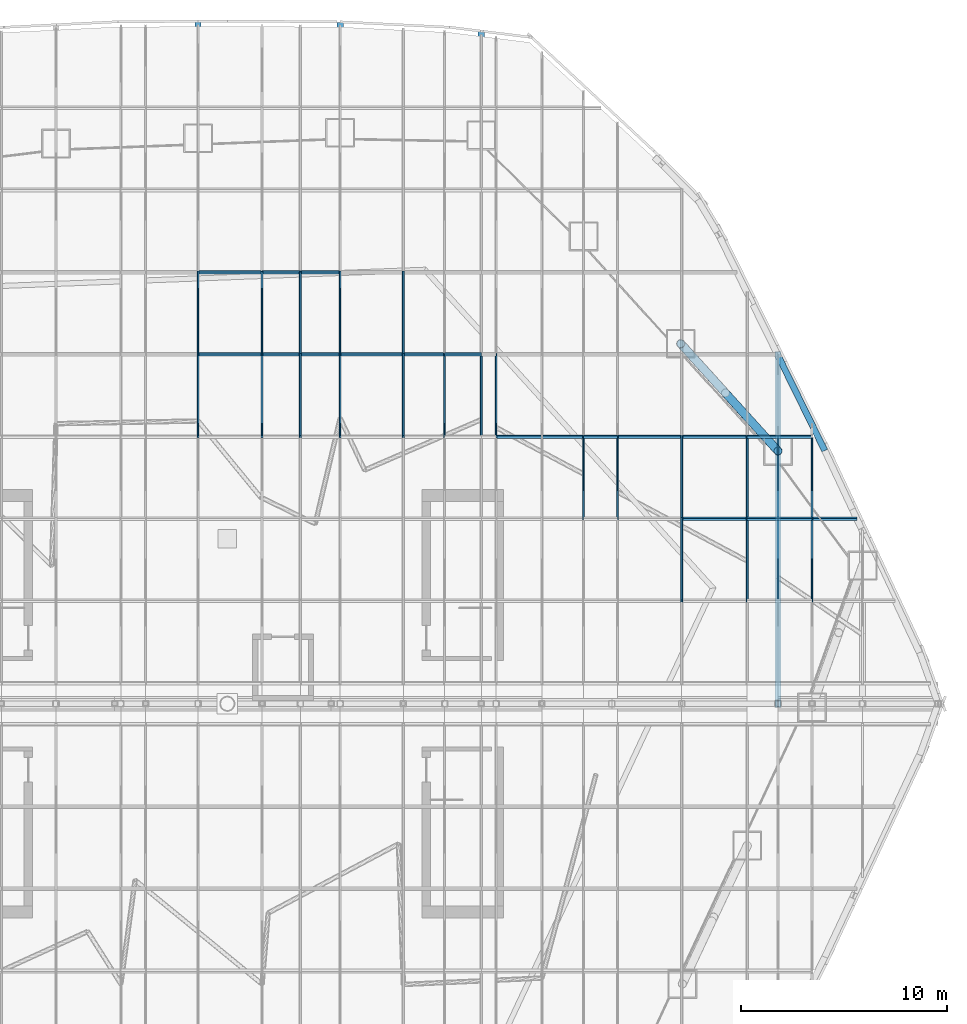
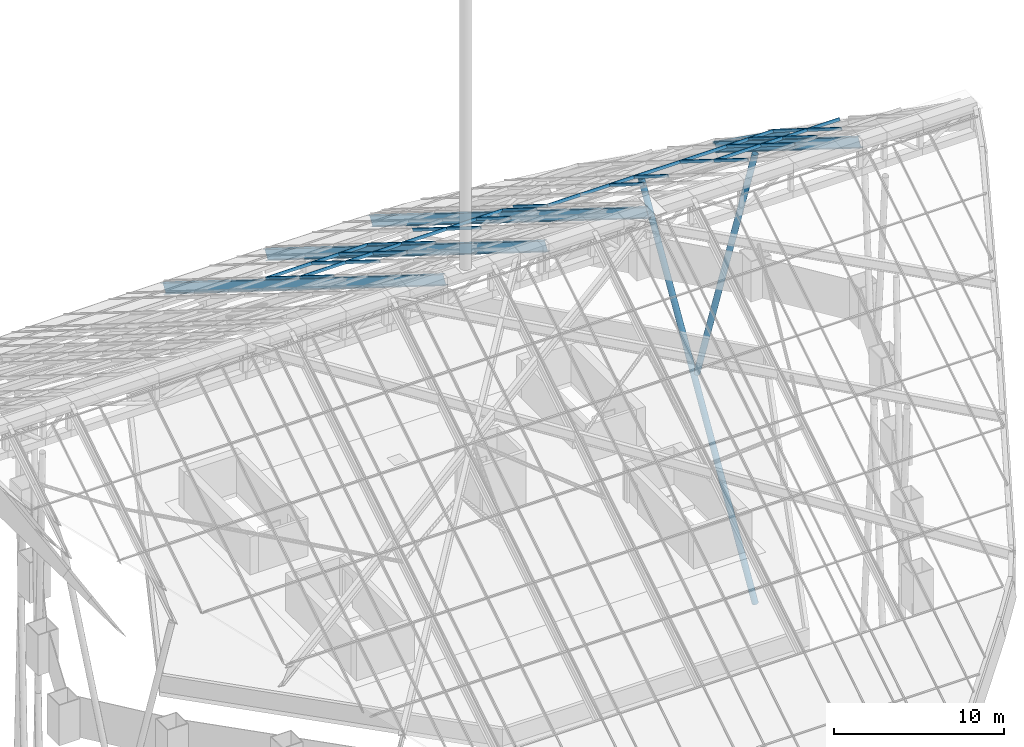
# One storey, part 20 of 38: 50 members, 25 elements without a shape of their own.
"""IFC4 building model written with IfcOpenShell, lengths in metres."""

from ifc_helpers import new_model, si_unit, direction, frame, origin, origin_2d, place, context, subcontext, project, spatial, rectangle, hollow_circle, i_section, extrude, material, layer, layer_set, material_profile, profile_set, type_object, element, aggregate, save


model = new_model("IFC4")

# Units and contexts
model_context = context("Model", 3, precision=1e-05, world=origin(), true_north=direction((0.0, 1.0)))
body_context = subcontext(model_context, "Body", "Model", "MODEL_VIEW")
ifc_project = project(units=[si_unit("LENGTHUNIT", "METRE"), si_unit("AREAUNIT", "SQUARE_METRE"), si_unit("VOLUMEUNIT", "CUBIC_METRE"), si_unit("PLANEANGLEUNIT", "RADIAN"), si_unit("MASSUNIT", "GRAM", prefix="KILO")], contexts=[model_context])

# Site, building, storey
site_placement = place(None, origin())
site = spatial("IfcSite", under=ifc_project, at=site_placement, CompositionType="ELEMENT")
building_placement = place(site_placement, origin())
building = spatial("IfcBuilding", under=site, at=building_placement, Name="Dongbaek Canopy Tower", CompositionType="ELEMENT")
storey_placement = place(building_placement, frame((0.0, 0.0, 375.800048828125)))
storey = spatial("IfcBuildingStorey", under=building, at=storey_placement, Name="Roof", CompositionType="ELEMENT", Elevation=375.800048828125)

# Members
ifc_material_1 = material(Name="Steel S355", Category="steel")
ifc_material_profile_1 = material_profile(ifc_material_1, hollow_circle(Radius=0.203125, WallThickness=0.0126953125, at=origin_2d()), Name="COLONNADE BRACE CHS 406.4x12.7 Steel S355")
ifc_profile_set_1 = profile_set([ifc_material_profile_1], Name="Steel S355")
member_type_1 = type_object("IfcMemberType", Name="COLONNADE BRACE CHS 406.4x12.7 Steel S355", PredefinedType="BRACE", material=ifc_profile_set_1)
member_1_placement = place(storey_placement, frame((26.702880859375, 12.257080078125, -22.199951171875), z_axis=(-0.158258013485, 0.174777382381, 0.971806188381), x_axis=(-0.741269653731, -0.671207345355, 0.0)))
element("IfcMember", 1, at=member_1_placement, inside=storey, type_object=member_type_1, Name="XBRACE:14:0", PredefinedType="BRACE", context=body_context, shape_type="SweptSolid", body=[
    extrude(hollow_circle(Radius=0.203125, WallThickness=0.0126953125, at=origin_2d()), origin(), (0.0, 0.0, 1.0), 29.77978515625),
])
member_2_placement = place(storey_placement, frame((26.702880859375, 12.257080078125, 9.99267578125), z_axis=(-0.143027176473, 0.157961683023, -0.977031899933), x_axis=(-0.741280162584, -0.671195739378, 0.0)))
element("IfcMember", 2, at=member_2_placement, inside=storey, type_object=member_type_1, Name="XBRACE:14:2", PredefinedType="BRACE", context=body_context, shape_type="SweptSolid", body=[
    extrude(hollow_circle(Radius=0.203125, WallThickness=0.0126953125, at=origin_2d()), origin(), (0.0, 0.0, 1.0), 16.886962890625),
])

# Curtain wall, member
ifc_material_2 = material(Name="Aluminium 6063-T6 pale anodised", Category="aluminium")
ifc_layer = layer(ifc_material_2, 0.199951171875)
ifc_layer_set = layer_set([ifc_layer], Name="CW-6 canopy glazing curtain wall")
curtain_wall_type = type_object("IfcCurtainWallType", Name="CW-6 canopy glazing curtain wall", PredefinedType="NOTDEFINED", material=ifc_layer_set)
curtain_wall_1_placement = place(storey_placement, origin())
curtain_wall_1 = element("IfcCurtainWall", 3, at=curtain_wall_1_placement, inside=storey, type_object=curtain_wall_type, Name="CW-6 canopy glazing north 15.4", PredefinedType="NOTDEFINED")
ifc_material_3 = material(Name="Aluminium 6063-T6 pale anodised", Category="aluminium")
ifc_material_profile_2 = material_profile(ifc_material_3, rectangle(XDim=0.080078125, YDim=0.199951171875, at=origin_2d()), Name="CW-6 mullion 80 x 200")
ifc_profile_set_2 = profile_set([ifc_material_profile_2], Name="Aluminium 6063-T6 pale anodised")
member_type_2 = type_object("IfcMemberType", Name="CW-6 mullion 80 x 200", PredefinedType="MULLION", material=ifc_profile_set_2)
member_3_placement = place(storey_placement, frame((-1.41796875, 12.958740234375, 10.626220703125), z_axis=(0.0, 0.848030400431, -0.529947582262), x_axis=(-1.0, 0.0, 0.0)))
member_3 = element("IfcMember", 4, at=member_3_placement, type_object=member_type_2, Name="CW-6 mullion N15.4.-1.4", PredefinedType="MULLION", context=body_context, shape_type="SweptSolid", body=[
    extrude(rectangle(XDim=0.080078125, YDim=0.199951171875, at=origin_2d()), origin(), (0.0, 0.0, 1.0), 4.700439453125),
])
aggregate(curtain_wall_1, [member_3])

curtain_wall_2_placement = place(storey_placement, origin())
curtain_wall_2 = element("IfcCurtainWall", 5, at=curtain_wall_2_placement, inside=storey, type_object=curtain_wall_type, Name="CW-6 canopy glazing north 15.5", PredefinedType="NOTDEFINED")
member_4_placement = place(storey_placement, frame((-1.41796875, 16.94482421875, 8.13525390625), z_axis=(0.0, 0.848068327403, -0.529886886095), x_axis=(-1.0, 0.0, 0.0)))
member_4 = element("IfcMember", 6, at=member_4_placement, type_object=member_type_2, Name="CW-6 mullion N15.5.-1.4", PredefinedType="MULLION", context=body_context, shape_type="SweptSolid", body=[
    extrude(rectangle(XDim=0.080078125, YDim=0.199951171875, at=origin_2d()), origin(), (0.0, 0.0, 1.0), 4.700439453125),
])
aggregate(curtain_wall_2, [member_4])

curtain_wall_3_placement = place(storey_placement, origin())
curtain_wall_3 = element("IfcCurtainWall", 7, at=curtain_wall_3_placement, inside=storey, type_object=curtain_wall_type, Name="CW-6 canopy glazing north 16.4", PredefinedType="NOTDEFINED")
member_5_placement = place(storey_placement, frame((1.68310546875, 12.958740234375, 10.626220703125), z_axis=(0.0, 0.848030400431, -0.529947582262), x_axis=(-1.0, 0.0, 0.0)))
member_5 = element("IfcMember", 8, at=member_5_placement, type_object=member_type_2, Name="CW-6 mullion N16.4.1.7", PredefinedType="MULLION", context=body_context, shape_type="SweptSolid", body=[
    extrude(rectangle(XDim=0.080078125, YDim=0.199951171875, at=origin_2d()), origin(), (0.0, 0.0, 1.0), 4.700439453125),
])

curtain_wall_4_placement = place(storey_placement, origin())
curtain_wall_4 = element("IfcCurtainWall", 9, at=curtain_wall_4_placement, inside=storey, type_object=curtain_wall_type, Name="CW-6 canopy glazing north 16.5", PredefinedType="NOTDEFINED")
member_6_placement = place(storey_placement, frame((1.68310546875, 16.94482421875, 8.13525390625), z_axis=(0.0, 0.848068327403, -0.529886886095), x_axis=(-1.0, 0.0, 0.0)))
member_6 = element("IfcMember", 10, at=member_6_placement, type_object=member_type_2, Name="CW-6 mullion N16.5.1.7", PredefinedType="MULLION", context=body_context, shape_type="SweptSolid", body=[
    extrude(rectangle(XDim=0.080078125, YDim=0.199951171875, at=origin_2d()), origin(), (0.0, 0.0, 1.0), 4.700439453125),
])

curtain_wall_5_placement = place(storey_placement, origin())
curtain_wall_5 = element("IfcCurtainWall", 11, at=curtain_wall_5_placement, inside=storey, type_object=curtain_wall_type, Name="CW-6 canopy glazing north 17.4", PredefinedType="NOTDEFINED")
member_7_placement = place(storey_placement, frame((3.535400390625, 12.958740234375, 10.626220703125), z_axis=(0.0, 0.848030400431, -0.529947582262), x_axis=(-1.0, 0.0, 0.0)))
member_7 = element("IfcMember", 12, at=member_7_placement, type_object=member_type_2, Name="CW-6 mullion N17.4.3.5", PredefinedType="MULLION", context=body_context, shape_type="SweptSolid", body=[
    extrude(rectangle(XDim=0.080078125, YDim=0.199951171875, at=origin_2d()), origin(), (0.0, 0.0, 1.0), 4.700439453125),
])

curtain_wall_6_placement = place(storey_placement, origin())
curtain_wall_6 = element("IfcCurtainWall", 13, at=curtain_wall_6_placement, inside=storey, type_object=curtain_wall_type, Name="CW-6 canopy glazing north 17.5", PredefinedType="NOTDEFINED")
member_8_placement = place(storey_placement, frame((3.535400390625, 16.94482421875, 8.13525390625), z_axis=(0.0, 0.848068327403, -0.529886886095), x_axis=(-1.0, 0.0, 0.0)))
member_8 = element("IfcMember", 14, at=member_8_placement, type_object=member_type_2, Name="CW-6 mullion N17.5.3.5", PredefinedType="MULLION", context=body_context, shape_type="SweptSolid", body=[
    extrude(rectangle(XDim=0.080078125, YDim=0.199951171875, at=origin_2d()), origin(), (0.0, 0.0, 1.0), 4.700439453125),
])

curtain_wall_7_placement = place(storey_placement, origin())
curtain_wall_7 = element("IfcCurtainWall", 15, at=curtain_wall_7_placement, inside=storey, type_object=curtain_wall_type, Name="CW-6 canopy glazing north 18.4", PredefinedType="NOTDEFINED")
member_9_placement = place(storey_placement, frame((5.470947265625, 12.958740234375, 10.626220703125), z_axis=(0.0, 0.848030400431, -0.529947582262), x_axis=(-1.0, 0.0, 0.0)))
member_9 = element("IfcMember", 16, at=member_9_placement, type_object=member_type_2, Name="CW-6 mullion N18.4.5.5", PredefinedType="MULLION", context=body_context, shape_type="SweptSolid", body=[
    extrude(rectangle(XDim=0.080078125, YDim=0.199951171875, at=origin_2d()), origin(), (0.0, 0.0, 1.0), 4.700439453125),
])

curtain_wall_8_placement = place(storey_placement, origin())
curtain_wall_8 = element("IfcCurtainWall", 17, at=curtain_wall_8_placement, inside=storey, type_object=curtain_wall_type, Name="CW-6 canopy glazing north 18.5", PredefinedType="NOTDEFINED")
member_10_placement = place(storey_placement, frame((5.470947265625, 16.94482421875, 8.13525390625), z_axis=(0.0, 0.848068327403, -0.529886886095), x_axis=(-1.0, 0.0, 0.0)))
member_10 = element("IfcMember", 18, at=member_10_placement, type_object=member_type_2, Name="CW-6 mullion N18.5.5.5", PredefinedType="MULLION", context=body_context, shape_type="SweptSolid", body=[
    extrude(rectangle(XDim=0.080078125, YDim=0.199951171875, at=origin_2d()), origin(), (0.0, 0.0, 1.0), 4.700439453125),
])

curtain_wall_9_placement = place(storey_placement, origin())
curtain_wall_9 = element("IfcCurtainWall", 19, at=curtain_wall_9_placement, inside=storey, type_object=curtain_wall_type, Name="CW-6 canopy glazing north 19.4", PredefinedType="NOTDEFINED")
member_11_placement = place(storey_placement, frame((8.533935546875, 12.958740234375, 10.626220703125), z_axis=(0.0, 0.848030400431, -0.529947582262), x_axis=(-1.0, 0.0, 0.0)))
member_11 = element("IfcMember", 20, at=member_11_placement, type_object=member_type_2, Name="CW-6 mullion N19.4.8.5", PredefinedType="MULLION", context=body_context, shape_type="SweptSolid", body=[
    extrude(rectangle(XDim=0.080078125, YDim=0.199951171875, at=origin_2d()), origin(), (0.0, 0.0, 1.0), 4.700439453125),
])

curtain_wall_10_placement = place(storey_placement, origin())
curtain_wall_10 = element("IfcCurtainWall", 21, at=curtain_wall_10_placement, inside=storey, type_object=curtain_wall_type, Name="CW-6 canopy glazing north 19.5", PredefinedType="NOTDEFINED")
member_12_placement = place(storey_placement, frame((8.533935546875, 16.94482421875, 8.13525390625), z_axis=(0.0, 0.848068327403, -0.529886886095), x_axis=(-1.0, 0.0, 0.0)))
member_12 = element("IfcMember", 22, at=member_12_placement, type_object=member_type_2, Name="CW-6 mullion N19.5.8.5", PredefinedType="MULLION", context=body_context, shape_type="SweptSolid", body=[
    extrude(rectangle(XDim=0.080078125, YDim=0.199951171875, at=origin_2d()), origin(), (0.0, 0.0, 1.0), 4.700439453125),
])
aggregate(curtain_wall_10, [member_12])

curtain_wall_11_placement = place(storey_placement, origin())
curtain_wall_11 = element("IfcCurtainWall", 23, at=curtain_wall_11_placement, inside=storey, type_object=curtain_wall_type, Name="CW-6 canopy glazing north 20.4", PredefinedType="NOTDEFINED")
member_13_placement = place(storey_placement, frame((10.535400390625, 12.958740234375, 10.626220703125), z_axis=(0.0, 0.848030400431, -0.529947582262), x_axis=(-1.0, 0.0, 0.0)))
member_13 = element("IfcMember", 24, at=member_13_placement, type_object=member_type_2, Name="CW-6 mullion N20.4.10.5", PredefinedType="MULLION", context=body_context, shape_type="SweptSolid", body=[
    extrude(rectangle(XDim=0.080078125, YDim=0.199951171875, at=origin_2d()), origin(), (0.0, 0.0, 1.0), 4.700439453125),
])

curtain_wall_12_placement = place(storey_placement, origin())
curtain_wall_12 = element("IfcCurtainWall", 25, at=curtain_wall_12_placement, inside=storey, type_object=curtain_wall_type, Name="CW-6 canopy glazing north 21.4", PredefinedType="NOTDEFINED")
member_14_placement = place(storey_placement, frame((12.31396484375, 12.958740234375, 10.626220703125), z_axis=(0.0, 0.848030400431, -0.529947582262), x_axis=(-1.0, 0.0, 0.0)))
member_14 = element("IfcMember", 26, at=member_14_placement, type_object=member_type_2, Name="CW-6 mullion N21.4.12.3", PredefinedType="MULLION", context=body_context, shape_type="SweptSolid", body=[
    extrude(rectangle(XDim=0.080078125, YDim=0.199951171875, at=origin_2d()), origin(), (0.0, 0.0, 1.0), 4.700439453125),
])

curtain_wall_13_placement = place(storey_placement, origin())
curtain_wall_13 = element("IfcCurtainWall", 27, at=curtain_wall_13_placement, inside=storey, type_object=curtain_wall_type, Name="CW-6 canopy glazing north 22.4", PredefinedType="NOTDEFINED")
member_15_placement = place(storey_placement, frame((13.035400390625, 12.958740234375, 10.626220703125), z_axis=(0.0, 0.848030400431, -0.529947582262), x_axis=(-1.0, 0.0, 0.0)))
member_15 = element("IfcMember", 28, at=member_15_placement, type_object=member_type_2, Name="CW-6 mullion N22.4.13.0", PredefinedType="MULLION", context=body_context, shape_type="SweptSolid", body=[
    extrude(rectangle(XDim=0.080078125, YDim=0.199951171875, at=origin_2d()), origin(), (0.0, 0.0, 1.0), 4.700439453125),
])
aggregate(curtain_wall_13, [member_15])

curtain_wall_14_placement = place(storey_placement, origin())
curtain_wall_14 = element("IfcCurtainWall", 29, at=curtain_wall_14_placement, inside=storey, type_object=curtain_wall_type, Name="CW-6 canopy glazing north 24.3", PredefinedType="NOTDEFINED")
member_16_placement = place(storey_placement, frame((17.27587890625, 8.972412109375, 13.116943359375), z_axis=(0.0, 0.848068327403, -0.529886886095), x_axis=(-1.0, 0.0, 0.0)))
member_16 = element("IfcMember", 30, at=member_16_placement, type_object=member_type_2, Name="CW-6 mullion N24.3.17.3", PredefinedType="MULLION", context=body_context, shape_type="SweptSolid", body=[
    extrude(rectangle(XDim=0.080078125, YDim=0.199951171875, at=origin_2d()), origin(), (0.0, 0.0, 1.0), 4.700439453125),
])

curtain_wall_15_placement = place(storey_placement, origin())
curtain_wall_15 = element("IfcCurtainWall", 31, at=curtain_wall_15_placement, inside=storey, type_object=curtain_wall_type, Name="CW-6 canopy glazing north 25.3", PredefinedType="NOTDEFINED")
member_17_placement = place(storey_placement, frame((18.925048828125, 8.972412109375, 13.116943359375), z_axis=(0.0, 0.848068327403, -0.529886886095), x_axis=(-1.0, 0.0, 0.0)))
member_17 = element("IfcMember", 32, at=member_17_placement, type_object=member_type_2, Name="CW-6 mullion N25.3.18.9", PredefinedType="MULLION", context=body_context, shape_type="SweptSolid", body=[
    extrude(rectangle(XDim=0.080078125, YDim=0.199951171875, at=origin_2d()), origin(), (0.0, 0.0, 1.0), 4.700439453125),
])

curtain_wall_16_placement = place(storey_placement, origin())
curtain_wall_16 = element("IfcCurtainWall", 33, at=curtain_wall_16_placement, inside=storey, type_object=curtain_wall_type, Name="CW-6 canopy glazing north 26.2", PredefinedType="NOTDEFINED")
member_18_placement = place(storey_placement, frame((22.035400390625, 4.986328125, 15.60791015625), z_axis=(0.0, 0.848030400431, -0.529947582262), x_axis=(-1.0, 0.0, 0.0)))
member_18 = element("IfcMember", 34, at=member_18_placement, type_object=member_type_2, Name="CW-6 mullion N26.2.22.0", PredefinedType="MULLION", context=body_context, shape_type="SweptSolid", body=[
    extrude(rectangle(XDim=0.080078125, YDim=0.199951171875, at=origin_2d()), origin(), (0.0, 0.0, 1.0), 4.700439453125),
])
aggregate(curtain_wall_16, [member_18])

curtain_wall_17_placement = place(storey_placement, origin())
curtain_wall_17 = element("IfcCurtainWall", 35, at=curtain_wall_17_placement, inside=storey, type_object=curtain_wall_type, Name="CW-6 canopy glazing north 26.3", PredefinedType="NOTDEFINED")
member_19_placement = place(storey_placement, frame((22.035400390625, 8.972412109375, 13.116943359375), z_axis=(0.0, 0.848068327403, -0.529886886095), x_axis=(-1.0, 0.0, 0.0)))
member_19 = element("IfcMember", 36, at=member_19_placement, type_object=member_type_2, Name="CW-6 mullion N26.3.22.0", PredefinedType="MULLION", context=body_context, shape_type="SweptSolid", body=[
    extrude(rectangle(XDim=0.080078125, YDim=0.199951171875, at=origin_2d()), origin(), (0.0, 0.0, 1.0), 4.700439453125),
])

curtain_wall_18_placement = place(storey_placement, origin())
curtain_wall_18 = element("IfcCurtainWall", 37, at=curtain_wall_18_placement, inside=storey, type_object=curtain_wall_type, Name="CW-6 canopy glazing north 27.2", PredefinedType="NOTDEFINED")
member_20_placement = place(storey_placement, frame((25.2099609375, 4.986328125, 15.60791015625), z_axis=(0.0, 0.848030400431, -0.529947582262), x_axis=(-1.0, 0.0, 0.0)))
member_20 = element("IfcMember", 38, at=member_20_placement, type_object=member_type_2, Name="CW-6 mullion N27.2.25.2", PredefinedType="MULLION", context=body_context, shape_type="SweptSolid", body=[
    extrude(rectangle(XDim=0.080078125, YDim=0.199951171875, at=origin_2d()), origin(), (0.0, 0.0, 1.0), 4.700439453125),
])

curtain_wall_19_placement = place(storey_placement, origin())
curtain_wall_19 = element("IfcCurtainWall", 39, at=curtain_wall_19_placement, inside=storey, type_object=curtain_wall_type, Name="CW-6 canopy glazing north 27.3", PredefinedType="NOTDEFINED")
member_21_placement = place(storey_placement, frame((25.2099609375, 8.972412109375, 13.116943359375), z_axis=(0.0, 0.848068327403, -0.529886886095), x_axis=(-1.0, 0.0, 0.0)))
member_21 = element("IfcMember", 40, at=member_21_placement, type_object=member_type_2, Name="CW-6 mullion N27.3.25.2", PredefinedType="MULLION", context=body_context, shape_type="SweptSolid", body=[
    extrude(rectangle(XDim=0.080078125, YDim=0.199951171875, at=origin_2d()), origin(), (0.0, 0.0, 1.0), 4.700439453125),
])

curtain_wall_20_placement = place(storey_placement, origin())
curtain_wall_20 = element("IfcCurtainWall", 41, at=curtain_wall_20_placement, inside=storey, type_object=curtain_wall_type, Name="CW-6 canopy glazing north 28.2", PredefinedType="NOTDEFINED")
member_22_placement = place(storey_placement, frame((26.702880859375, 4.986328125, 15.60791015625), z_axis=(0.0, 0.848030400431, -0.529947582262), x_axis=(-1.0, 0.0, 0.0)))
member_22 = element("IfcMember", 42, at=member_22_placement, type_object=member_type_2, Name="CW-6 mullion N28.2.26.7", PredefinedType="MULLION", context=body_context, shape_type="SweptSolid", body=[
    extrude(rectangle(XDim=0.080078125, YDim=0.199951171875, at=origin_2d()), origin(), (0.0, 0.0, 1.0), 4.700439453125),
])

curtain_wall_21_placement = place(storey_placement, origin())
curtain_wall_21 = element("IfcCurtainWall", 43, at=curtain_wall_21_placement, inside=storey, type_object=curtain_wall_type, Name="CW-6 canopy glazing north 28.3", PredefinedType="NOTDEFINED")
member_23_placement = place(storey_placement, frame((26.702880859375, 8.972412109375, 13.116943359375), z_axis=(0.0, 0.848068327403, -0.529886886095), x_axis=(-1.0, 0.0, 0.0)))
member_23 = element("IfcMember", 44, at=member_23_placement, type_object=member_type_2, Name="CW-6 mullion N28.3.26.7", PredefinedType="MULLION", context=body_context, shape_type="SweptSolid", body=[
    extrude(rectangle(XDim=0.080078125, YDim=0.199951171875, at=origin_2d()), origin(), (0.0, 0.0, 1.0), 4.700439453125),
])

curtain_wall_22_placement = place(storey_placement, origin())
curtain_wall_22 = element("IfcCurtainWall", 45, at=curtain_wall_22_placement, inside=storey, type_object=curtain_wall_type, Name="CW-6 canopy glazing north 29.2", PredefinedType="NOTDEFINED")
member_24_placement = place(storey_placement, frame((28.35107421875, 4.986328125, 15.60791015625), z_axis=(0.0, 0.848030400431, -0.529947582262), x_axis=(-1.0, 0.0, 0.0)))
member_24 = element("IfcMember", 46, at=member_24_placement, type_object=member_type_2, Name="CW-6 mullion N29.2.28.4", PredefinedType="MULLION", context=body_context, shape_type="SweptSolid", body=[
    extrude(rectangle(XDim=0.080078125, YDim=0.199951171875, at=origin_2d()), origin(), (0.0, 0.0, 1.0), 4.700439453125),
])

curtain_wall_23_placement = place(storey_placement, origin())
curtain_wall_23 = element("IfcCurtainWall", 47, at=curtain_wall_23_placement, inside=storey, type_object=curtain_wall_type, Name="CW-6 canopy glazing north 29.3", PredefinedType="NOTDEFINED")
member_25_placement = place(storey_placement, frame((28.35107421875, 8.972412109375, 13.116943359375), z_axis=(0.0, 0.848068327403, -0.529886886095), x_axis=(-1.0, 0.0, 0.0)))
member_25 = element("IfcMember", 48, at=member_25_placement, type_object=member_type_2, Name="CW-6 mullion N29.3.28.4", PredefinedType="MULLION", context=body_context, shape_type="SweptSolid", body=[
    extrude(rectangle(XDim=0.080078125, YDim=0.199951171875, at=origin_2d()), origin(), (0.0, 0.0, 1.0), 4.700439453125),
])

# Member
ifc_material_4 = material(Name="Aluminium 6063-T6 pale anodised", Category="aluminium")
ifc_material_profile_3 = material_profile(ifc_material_4, rectangle(XDim=0.080078125, YDim=0.199951171875, at=origin_2d()), Name="CW-6 transom 80 x 200")
ifc_profile_set_3 = profile_set([ifc_material_profile_3], Name="Aluminium 6063-T6 pale anodised")
member_type_3 = type_object("IfcMemberType", Name="CW-6 transom 80 x 200", PredefinedType="USERDEFINED", material=ifc_profile_set_3)
member_26_placement = place(storey_placement, frame((-1.41796875, 16.94482421875, 8.13525390625), z_axis=(1.0, 0.0, 0.0), x_axis=(0.0, 0.848048096156, -0.529919264233)))
member_26 = element("IfcMember", 49, at=member_26_placement, type_object=member_type_3, Name="CW-6 transom N16.4.5", ObjectType="TRANSOM", PredefinedType="USERDEFINED", context=body_context, shape_type="SweptSolid", body=[
    extrude(rectangle(XDim=0.080078125, YDim=0.199951171875, at=origin_2d()), origin(), (0.0, 0.0, 1.0), 3.10107421875),
])

aggregate(curtain_wall_3, [member_5, member_26])

member_27_placement = place(storey_placement, frame((-1.41796875, 20.93115234375, 5.64453125), z_axis=(1.0, 0.0, 0.0), x_axis=(0.0, 0.848048096156, -0.529919264233)))
member_27 = element("IfcMember", 50, at=member_27_placement, type_object=member_type_3, Name="CW-6 transom N16.5.6", ObjectType="TRANSOM", PredefinedType="USERDEFINED", context=body_context, shape_type="SweptSolid", body=[
    extrude(rectangle(XDim=0.080078125, YDim=0.199951171875, at=origin_2d()), origin(), (0.0, 0.0, 1.0), 3.10107421875),
])

aggregate(curtain_wall_4, [member_6, member_27])

member_28_placement = place(storey_placement, frame((1.68310546875, 16.94482421875, 8.13525390625), z_axis=(1.0, 0.0, 0.0), x_axis=(0.0, 0.848048096156, -0.529919264233)))
member_28 = element("IfcMember", 51, at=member_28_placement, type_object=member_type_3, Name="CW-6 transom N17.4.5", ObjectType="TRANSOM", PredefinedType="USERDEFINED", context=body_context, shape_type="SweptSolid", body=[
    extrude(rectangle(XDim=0.080078125, YDim=0.199951171875, at=origin_2d()), origin(), (0.0, 0.0, 1.0), 1.852294921875),
])

aggregate(curtain_wall_5, [member_7, member_28])

member_29_placement = place(storey_placement, frame((1.68310546875, 20.93115234375, 5.64453125), z_axis=(1.0, 0.0, 0.0), x_axis=(0.0, 0.848048096156, -0.529919264233)))
member_29 = element("IfcMember", 52, at=member_29_placement, type_object=member_type_3, Name="CW-6 transom N17.5.6", ObjectType="TRANSOM", PredefinedType="USERDEFINED", context=body_context, shape_type="SweptSolid", body=[
    extrude(rectangle(XDim=0.080078125, YDim=0.199951171875, at=origin_2d()), origin(), (0.0, 0.0, 1.0), 1.852294921875),
])

aggregate(curtain_wall_6, [member_8, member_29])

member_30_placement = place(storey_placement, frame((3.535400390625, 16.94482421875, 8.13525390625), z_axis=(1.0, 0.0, 0.0), x_axis=(0.0, 0.848048096156, -0.529919264233)))
member_30 = element("IfcMember", 53, at=member_30_placement, type_object=member_type_3, Name="CW-6 transom N18.4.5", ObjectType="TRANSOM", PredefinedType="USERDEFINED", context=body_context, shape_type="SweptSolid", body=[
    extrude(rectangle(XDim=0.080078125, YDim=0.199951171875, at=origin_2d()), origin(), (0.0, 0.0, 1.0), 1.935546875),
])

aggregate(curtain_wall_7, [member_9, member_30])

member_31_placement = place(storey_placement, frame((3.535400390625, 20.93115234375, 5.64453125), z_axis=(1.0, 0.0, 0.0), x_axis=(0.0, 0.848048096156, -0.529919264233)))
member_31 = element("IfcMember", 54, at=member_31_placement, type_object=member_type_3, Name="CW-6 transom N18.5.6", ObjectType="TRANSOM", PredefinedType="USERDEFINED", context=body_context, shape_type="SweptSolid", body=[
    extrude(rectangle(XDim=0.080078125, YDim=0.199951171875, at=origin_2d()), origin(), (0.0, 0.0, 1.0), 1.935546875),
])

aggregate(curtain_wall_8, [member_10, member_31])

member_32_placement = place(storey_placement, frame((5.470947265625, 16.94482421875, 8.13525390625), z_axis=(1.0, 0.0, 0.0), x_axis=(0.0, 0.848048096156, -0.529919264233)))
member_32 = element("IfcMember", 55, at=member_32_placement, type_object=member_type_3, Name="CW-6 transom N19.4.5", ObjectType="TRANSOM", PredefinedType="USERDEFINED", context=body_context, shape_type="SweptSolid", body=[
    extrude(rectangle(XDim=0.080078125, YDim=0.199951171875, at=origin_2d()), origin(), (0.0, 0.0, 1.0), 3.06298828125),
])

aggregate(curtain_wall_9, [member_11, member_32])

member_33_placement = place(storey_placement, frame((8.533935546875, 16.94482421875, 8.13525390625), z_axis=(1.0, 0.0, 0.0), x_axis=(0.0, 0.848048096156, -0.529919264233)))
member_33 = element("IfcMember", 56, at=member_33_placement, type_object=member_type_3, Name="CW-6 transom N20.4.5", ObjectType="TRANSOM", PredefinedType="USERDEFINED", context=body_context, shape_type="SweptSolid", body=[
    extrude(rectangle(XDim=0.080078125, YDim=0.199951171875, at=origin_2d()), origin(), (0.0, 0.0, 1.0), 2.00146484375),
])

aggregate(curtain_wall_11, [member_13, member_33])

member_34_placement = place(storey_placement, frame((10.535400390625, 16.94482421875, 8.13525390625), z_axis=(1.0, 0.0, 0.0), x_axis=(0.0, 0.848048096156, -0.529919264233)))
member_34 = element("IfcMember", 57, at=member_34_placement, type_object=member_type_3, Name="CW-6 transom N21.4.5", ObjectType="TRANSOM", PredefinedType="USERDEFINED", context=body_context, shape_type="SweptSolid", body=[
    extrude(rectangle(XDim=0.080078125, YDim=0.199951171875, at=origin_2d()), origin(), (0.0, 0.0, 1.0), 1.778564453125),
])

aggregate(curtain_wall_12, [member_14, member_34])

# Curtain wall, member
curtain_wall_24_placement = place(storey_placement, origin())
curtain_wall_24 = element("IfcCurtainWall", 58, at=curtain_wall_24_placement, inside=storey, type_object=curtain_wall_type, Name="CW-6 canopy glazing north 23.3", PredefinedType="NOTDEFINED")
member_35_placement = place(storey_placement, frame((13.035400390625, 12.958740234375, 10.626220703125), z_axis=(1.0, 0.0, 0.0), x_axis=(0.0, 0.848048096156, -0.529919264233)))
member_35 = element("IfcMember", 59, at=member_35_placement, type_object=member_type_3, Name="CW-6 transom N23.3.4", ObjectType="TRANSOM", PredefinedType="USERDEFINED", context=body_context, shape_type="SweptSolid", body=[
    extrude(rectangle(XDim=0.080078125, YDim=0.199951171875, at=origin_2d()), origin(), (0.0, 0.0, 1.0), 2.216552734375),
])
aggregate(curtain_wall_24, [member_35])

# Member
member_36_placement = place(storey_placement, frame((15.251953125, 12.958740234375, 10.626220703125), z_axis=(1.0, 0.0, 0.0), x_axis=(0.0, 0.848048096156, -0.529919264233)))
member_36 = element("IfcMember", 60, at=member_36_placement, type_object=member_type_3, Name="CW-6 transom N24.3.4", ObjectType="TRANSOM", PredefinedType="USERDEFINED", context=body_context, shape_type="SweptSolid", body=[
    extrude(rectangle(XDim=0.080078125, YDim=0.199951171875, at=origin_2d()), origin(), (0.0, 0.0, 1.0), 2.02392578125),
])

aggregate(curtain_wall_14, [member_16, member_36])

member_37_placement = place(storey_placement, frame((17.27587890625, 12.958740234375, 10.626220703125), z_axis=(1.0, 0.0, 0.0), x_axis=(0.0, 0.848048096156, -0.529919264233)))
member_37 = element("IfcMember", 61, at=member_37_placement, type_object=member_type_3, Name="CW-6 transom N25.3.4", ObjectType="TRANSOM", PredefinedType="USERDEFINED", context=body_context, shape_type="SweptSolid", body=[
    extrude(rectangle(XDim=0.080078125, YDim=0.199951171875, at=origin_2d()), origin(), (0.0, 0.0, 1.0), 1.649169921875),
])

aggregate(curtain_wall_15, [member_17, member_37])

member_38_placement = place(storey_placement, frame((18.925048828125, 12.958740234375, 10.626220703125), z_axis=(1.0, 0.0, 0.0), x_axis=(0.0, 0.848048096156, -0.529919264233)))
member_38 = element("IfcMember", 62, at=member_38_placement, type_object=member_type_3, Name="CW-6 transom N26.3.4", ObjectType="TRANSOM", PredefinedType="USERDEFINED", context=body_context, shape_type="SweptSolid", body=[
    extrude(rectangle(XDim=0.080078125, YDim=0.199951171875, at=origin_2d()), origin(), (0.0, 0.0, 1.0), 3.1103515625),
])

aggregate(curtain_wall_17, [member_19, member_38])

member_39_placement = place(storey_placement, frame((22.035400390625, 8.972412109375, 13.116943359375), z_axis=(1.0, 0.0, 0.0), x_axis=(0.0, 0.848048096156, -0.529919264233)))
member_39 = element("IfcMember", 63, at=member_39_placement, type_object=member_type_3, Name="CW-6 transom N27.2.3", ObjectType="TRANSOM", PredefinedType="USERDEFINED", context=body_context, shape_type="SweptSolid", body=[
    extrude(rectangle(XDim=0.080078125, YDim=0.199951171875, at=origin_2d()), origin(), (0.0, 0.0, 1.0), 3.174560546875),
])

aggregate(curtain_wall_18, [member_20, member_39])

member_40_placement = place(storey_placement, frame((22.035400390625, 12.958740234375, 10.626220703125), z_axis=(1.0, 0.0, 0.0), x_axis=(0.0, 0.848048096156, -0.529919264233)))
member_40 = element("IfcMember", 64, at=member_40_placement, type_object=member_type_3, Name="CW-6 transom N27.3.4", ObjectType="TRANSOM", PredefinedType="USERDEFINED", context=body_context, shape_type="SweptSolid", body=[
    extrude(rectangle(XDim=0.080078125, YDim=0.199951171875, at=origin_2d()), origin(), (0.0, 0.0, 1.0), 3.174560546875),
])

aggregate(curtain_wall_19, [member_21, member_40])

member_41_placement = place(storey_placement, frame((25.2099609375, 8.972412109375, 13.116943359375), z_axis=(1.0, 0.0, 0.0), x_axis=(0.0, 0.848048096156, -0.529919264233)))
member_41 = element("IfcMember", 65, at=member_41_placement, type_object=member_type_3, Name="CW-6 transom N28.2.3", ObjectType="TRANSOM", PredefinedType="USERDEFINED", context=body_context, shape_type="SweptSolid", body=[
    extrude(rectangle(XDim=0.080078125, YDim=0.199951171875, at=origin_2d()), origin(), (0.0, 0.0, 1.0), 1.492919921875),
])

aggregate(curtain_wall_20, [member_22, member_41])

member_42_placement = place(storey_placement, frame((25.2099609375, 12.958740234375, 10.626220703125), z_axis=(1.0, 0.0, 0.0), x_axis=(0.0, 0.848048096156, -0.529919264233)))
member_42 = element("IfcMember", 66, at=member_42_placement, type_object=member_type_3, Name="CW-6 transom N28.3.4", ObjectType="TRANSOM", PredefinedType="USERDEFINED", context=body_context, shape_type="SweptSolid", body=[
    extrude(rectangle(XDim=0.080078125, YDim=0.199951171875, at=origin_2d()), origin(), (0.0, 0.0, 1.0), 1.492919921875),
])

aggregate(curtain_wall_21, [member_23, member_42])

member_43_placement = place(storey_placement, frame((26.702880859375, 8.972412109375, 13.116943359375), z_axis=(1.0, 0.0, 0.0), x_axis=(0.0, 0.848048096156, -0.529919264233)))
member_43 = element("IfcMember", 67, at=member_43_placement, type_object=member_type_3, Name="CW-6 transom N29.2.3", ObjectType="TRANSOM", PredefinedType="USERDEFINED", context=body_context, shape_type="SweptSolid", body=[
    extrude(rectangle(XDim=0.080078125, YDim=0.199951171875, at=origin_2d()), origin(), (0.0, 0.0, 1.0), 1.648193359375),
])

aggregate(curtain_wall_22, [member_24, member_43])

member_44_placement = place(storey_placement, frame((26.702880859375, 12.958740234375, 10.626220703125), z_axis=(1.0, 0.0, 0.0), x_axis=(0.0, 0.848048096156, -0.529919264233)))
member_44 = element("IfcMember", 68, at=member_44_placement, type_object=member_type_3, Name="CW-6 transom N29.3.4", ObjectType="TRANSOM", PredefinedType="USERDEFINED", context=body_context, shape_type="SweptSolid", body=[
    extrude(rectangle(XDim=0.080078125, YDim=0.199951171875, at=origin_2d()), origin(), (0.0, 0.0, 1.0), 1.648193359375),
])

aggregate(curtain_wall_23, [member_25, member_44])

# Curtain wall, member
curtain_wall_25_placement = place(storey_placement, origin())
curtain_wall_25 = element("IfcCurtainWall", 69, at=curtain_wall_25_placement, inside=storey, type_object=curtain_wall_type, Name="CW-6 canopy glazing north 30.2", PredefinedType="NOTDEFINED")
member_45_placement = place(storey_placement, frame((28.35107421875, 8.972412109375, 13.116943359375), z_axis=(1.0, 0.0, 0.0), x_axis=(0.0, 0.848048096156, -0.529919264233)))
member_45 = element("IfcMember", 70, at=member_45_placement, type_object=member_type_3, Name="CW-6 transom N30.2.3", ObjectType="TRANSOM", PredefinedType="USERDEFINED", context=body_context, shape_type="SweptSolid", body=[
    extrude(rectangle(XDim=0.080078125, YDim=0.199951171875, at=origin_2d()), origin(), (0.0, 0.0, 1.0), 2.172607421875),
])
aggregate(curtain_wall_25, [member_45])

# Members
ifc_material_5 = material(Name="Steel S355", Category="steel")
ifc_material_profile_4 = material_profile(ifc_material_5, i_section(OverallWidth=0.300048828125, OverallDepth=0.587890625, WebThickness=0.011962890625, FlangeThickness=0.02001953125, FilletRadius=0.028076171875, at=origin_2d()), Name="EAVES BEAM H 588x300x12x20 Steel S355")
ifc_profile_set_4 = profile_set([ifc_material_profile_4], Name="Steel S355")
member_type_4 = type_object("IfcMemberType", Name="EAVES BEAM H 588x300x12x20 Steel S355", PredefinedType="MEMBER", material=ifc_profile_set_4)
member_46_placement = place(storey_placement, frame((29.03515625, 12.15087890625, 10.658935546875), z_axis=(-0.385029080229, 0.782673475239, -0.489055046529), x_axis=(-0.897301063388, -0.441419077117, 0.0)))
element("IfcMember", 71, at=member_46_placement, inside=storey, type_object=member_type_4, Name="EAVE:34", PredefinedType="MEMBER", context=body_context, shape_type="SweptSolid", body=[
    extrude(i_section(OverallWidth=0.300048828125, OverallDepth=0.587890625, WebThickness=0.011962890625, FlangeThickness=0.02001953125, FilletRadius=0.028076171875, at=origin_2d()), origin(), (0.0, 0.0, 1.0), 6.057373046875),
])
ifc_material_6 = material(Name="Steel S355", Category="steel")
ifc_material_profile_5 = material_profile(ifc_material_6, i_section(OverallWidth=0.300048828125, OverallDepth=0.699951171875, WebThickness=0.012939453125, FlangeThickness=0.02392578125, FilletRadius=0.028076171875, at=origin_2d()), Name="RAFTER H 700x300x13x24 Steel S355")
ifc_profile_set_5 = profile_set([ifc_material_profile_5], Name="Steel S355")
member_type_5 = type_object("IfcMemberType", Name="RAFTER H 700x300x13x24 Steel S355", PredefinedType="RAFTER", material=ifc_profile_set_5)
member_47_placement = place(storey_placement, frame((-1.41796875, 32.883544921875, -2.296142578125), z_axis=(0.0, -0.848048882416, 0.529918005952), x_axis=(1.0, 0.0, 0.0)))
element("IfcMember", 72, at=member_47_placement, inside=storey, type_object=member_type_5, Name="RAFTER:18", PredefinedType="RAFTER", context=body_context, shape_type="SweptSolid", body=[
    extrude(i_section(OverallWidth=0.300048828125, OverallDepth=0.699951171875, WebThickness=0.012939453125, FlangeThickness=0.02392578125, FilletRadius=0.028076171875, at=origin_2d()), origin(), (0.0, 0.0, 1.0), 38.775634765625),
])
member_48_placement = place(storey_placement, frame((5.470947265625, 32.85888671875, -2.28076171875), z_axis=(0.0, -0.848048566416, 0.529918511659), x_axis=(1.0, 0.0, 0.0)))
element("IfcMember", 73, at=member_48_placement, inside=storey, type_object=member_type_5, Name="RAFTER:19", PredefinedType="RAFTER", context=body_context, shape_type="SweptSolid", body=[
    extrude(i_section(OverallWidth=0.300048828125, OverallDepth=0.699951171875, WebThickness=0.012939453125, FlangeThickness=0.02392578125, FilletRadius=0.028076171875, at=origin_2d()), origin(), (0.0, 0.0, 1.0), 38.74658203125),
])
member_49_placement = place(storey_placement, frame((12.31396484375, 32.408203125, -1.999267578125), z_axis=(0.0, -0.848047112115, 0.529920839026), x_axis=(1.0, 0.0, 0.0)))
element("IfcMember", 74, at=member_49_placement, inside=storey, type_object=member_type_5, Name="RAFTER:20", PredefinedType="RAFTER", context=body_context, shape_type="SweptSolid", body=[
    extrude(i_section(OverallWidth=0.300048828125, OverallDepth=0.699951171875, WebThickness=0.012939453125, FlangeThickness=0.02392578125, FilletRadius=0.028076171875, at=origin_2d()), origin(), (0.0, 0.0, 1.0), 38.215087890625),
])
member_50_placement = place(storey_placement, frame((26.702880859375, 16.891845703125, 7.696533203125), z_axis=(0.0, -0.848048567603, 0.52991850976), x_axis=(1.0, 0.0, 0.0)))
element("IfcMember", 75, at=member_50_placement, inside=storey, type_object=member_type_5, Name="RAFTER:23", PredefinedType="RAFTER", context=body_context, shape_type="SweptSolid", body=[
    extrude(i_section(OverallWidth=0.300048828125, OverallDepth=0.699951171875, WebThickness=0.012939453125, FlangeThickness=0.02392578125, FilletRadius=0.028076171875, at=origin_2d()), origin(), (0.0, 0.0, 1.0), 19.91845703125),
])

save(model, "model.ifc")
